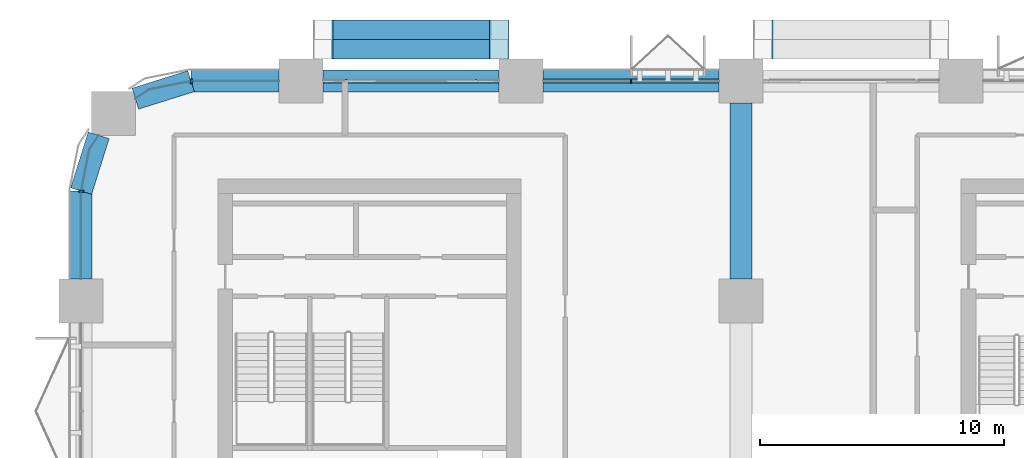
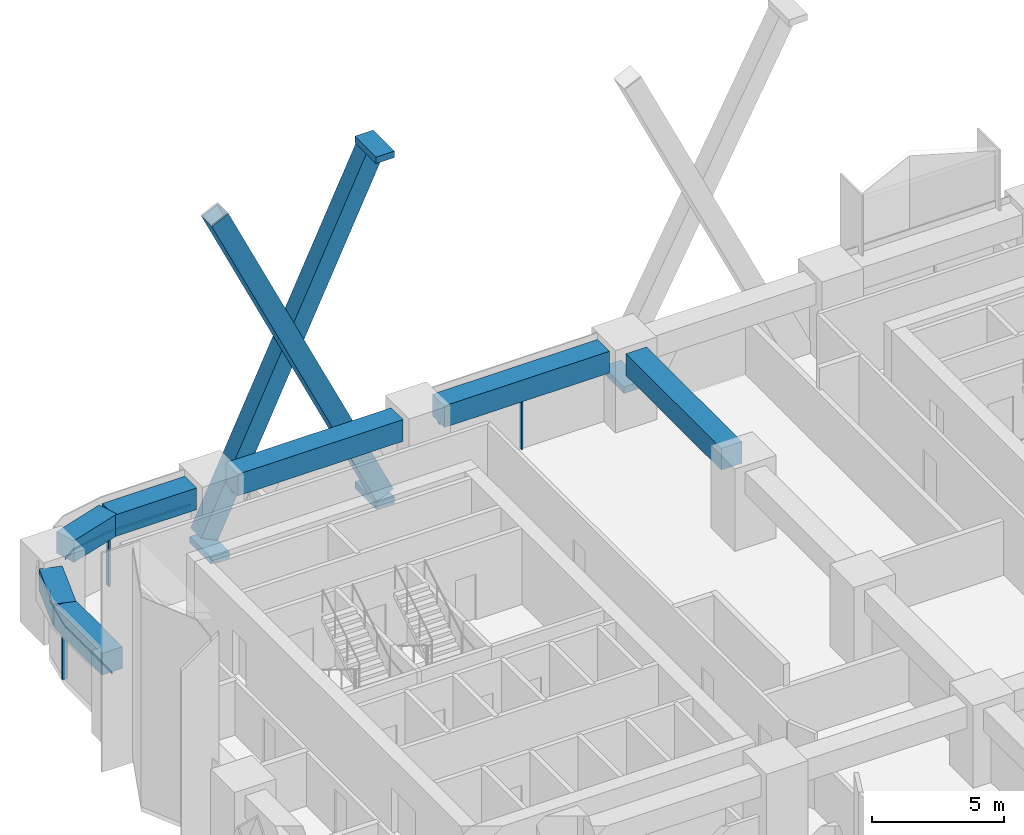
# One storey, part 8 of 26: 13 members, 7 beams, 4 elements without a shape of their own.
"""IFC4 building model written with IfcOpenShell, lengths in metres."""

from ifc_helpers import new_model, si_unit, direction, frame, origin, origin_2d, place, context, subcontext, project, spatial, polyline, rectangle, hollow_rectangle, outline, extrude, material, layer, layer_set, material_profile, profile_set, type_object, element, aggregate, save


model = new_model("IFC4")

# Units and contexts
model_context = context("Model", 3, precision=1e-05, world=origin(), true_north=direction((0.0, 1.0)))
body_context = subcontext(model_context, "Body", "Model", "MODEL_VIEW")
ifc_project = project(units=[si_unit("LENGTHUNIT", "METRE"), si_unit("AREAUNIT", "SQUARE_METRE"), si_unit("VOLUMEUNIT", "CUBIC_METRE"), si_unit("PLANEANGLEUNIT", "RADIAN"), si_unit("MASSUNIT", "GRAM", prefix="KILO")], contexts=[model_context])

# Site, building, storey
site_placement = place(None, origin())
site = spatial("IfcSite", under=ifc_project, at=site_placement, CompositionType="ELEMENT")
building_placement = place(site_placement, origin())
building = spatial("IfcBuilding", under=site, at=building_placement, Name="Tessera Arch", CompositionType="ELEMENT")
storey_placement = place(building_placement, frame((0.0, 0.0, 31.0)))
storey = spatial("IfcBuildingStorey", under=building, at=storey_placement, Name="L05", CompositionType="ELEMENT", Elevation=31.0)

# Members
ifc_material_1 = material(Name="Steel A572 Gr50", Category="steel")
ifc_material_profile_1 = material_profile(ifc_material_1, hollow_rectangle(XDim=0.800048828125, YDim=0.800048828125, WallThickness=0.06005859375, at=origin_2d()), Name="BOX 800x800x60")
ifc_profile_set_1 = profile_set([ifc_material_profile_1], Name="Steel A572 Gr50")
member_type_1 = type_object("IfcMemberType", Name="Brace BOX 800x800x60 Steel A572 Gr50", PredefinedType="BRACE", material=ifc_profile_set_1)
for number, where, z_axis, x_axis, name in (
    (1, (17.10009765625, 55.300048828125, -0.800048828125), (-0.428096952335, 0.0, 0.903732814167), (0.0, -1.0, 0.0), "Brace N54.0-4 A L05-L08"),
    (2, (9.89990234375, 56.10009765625, -0.800048828125), (0.428096952335, 0.0, 0.903732814167), (0.0, 1.0, 0.0), "Brace N54.0-4 B L05-L08"),
):
    element("IfcMember", number, at=place(storey_placement, frame(where, z_axis=z_axis, x_axis=x_axis)), inside=storey, type_object=member_type_1, Name=name, PredefinedType="BRACE", context=body_context, shape_type="SweptSolid", body=[
        extrude(hollow_rectangle(XDim=0.800048828125, YDim=0.800048828125, WallThickness=0.06005859375, at=origin_2d()), origin(), (0.0, 0.0, 1.0), 16.819091796875),
    ])

# Curtain wall, members
ifc_material_2 = material(Name="CW1 curtain wall")
curtain_wall_type_1 = type_object("IfcCurtainWallType", Name="CW1 curtain wall", PredefinedType="NOTDEFINED", material=ifc_material_2)
curtain_wall_1_placement = place(storey_placement, origin())
curtain_wall_1 = element("IfcCurtainWall", 3, at=curtain_wall_1_placement, inside=storey, type_object=curtain_wall_type_1, Name="CW1 curtain wall N54.0/3 L05", PredefinedType="NOTDEFINED")
ifc_material_3 = material(Name="Anodised aluminium pale metal", Category="aluminium")
ifc_material_profile_2 = material_profile(ifc_material_3, rectangle(XDim=0.159912109375, YDim=0.06005859375, at=origin_2d()), Name="AL 60x160")
ifc_profile_set_2 = profile_set([ifc_material_profile_2], Name="Anodised aluminium pale metal")
member_type_2 = type_object("IfcMemberType", Name="CW1 mullion", PredefinedType="MULLION", material=ifc_profile_set_2)
member_1_placement = place(storey_placement, frame((22.5, 54.0, 0.0), z_axis=(0.0, 0.0, 1.0), x_axis=(0.0, -1.0, 0.0)))
member_1 = element("IfcMember", 4, at=member_1_placement, type_object=member_type_2, Name="CW1 mullion N54.0/3 1", PredefinedType="MULLION", context=body_context, shape_type="SweptSolid", body=[
    extrude(rectangle(XDim=0.159912109375, YDim=0.06005859375, at=origin_2d()), origin(), (0.0, 0.0, 1.0), 2.39990234375),
])
ifc_material_4 = material(Name="Anodised aluminium pale metal", Category="aluminium")
ifc_material_profile_3 = material_profile(ifc_material_4, rectangle(XDim=0.159912109375, YDim=0.10009765625, at=origin_2d()), Name="AL 160x100")
ifc_profile_set_3 = profile_set([ifc_material_profile_3], Name="Anodised aluminium pale metal")
member_type_3 = type_object("IfcMemberType", Name="CW1 transom", PredefinedType="USERDEFINED", material=ifc_profile_set_3)
member_2_placement = place(storey_placement, frame((26.10009765625, 54.0, 2.449951171875), z_axis=(-1.0, 0.0, 0.0), x_axis=(0.0, -1.0, 0.0)))
member_2 = element("IfcMember", 5, at=member_2_placement, type_object=member_type_3, Name="CW1 transom N54.0/3 1.1", ObjectType="TRANSOM", PredefinedType="USERDEFINED", context=body_context, shape_type="SweptSolid", body=[
    extrude(rectangle(XDim=0.159912109375, YDim=0.10009765625, at=origin_2d()), origin(), (0.0, 0.0, 1.0), 7.2001953125),
])
aggregate(curtain_wall_1, [member_1, member_2])

# Curtain wall, member
ifc_material_5 = material(Name="CW2 curtain wall")
curtain_wall_type_2 = type_object("IfcCurtainWallType", Name="CW2 curtain wall", PredefinedType="NOTDEFINED", material=ifc_material_5)
curtain_wall_2_placement = place(storey_placement, origin())
curtain_wall_2 = element("IfcCurtainWall", 6, at=curtain_wall_2_placement, inside=storey, type_object=curtain_wall_type_2, Name="CW2 curtain wall N54.0/5 L05", PredefinedType="NOTDEFINED")
ifc_material_6 = material(Name="Anodised aluminium pale metal", Category="aluminium")
ifc_material_profile_4 = material_profile(ifc_material_6, rectangle(XDim=0.199951171875, YDim=0.080078125, at=origin_2d()), Name="AL 80x200")
ifc_profile_set_4 = profile_set([ifc_material_profile_4], Name="Anodised aluminium pale metal")
member_type_4 = type_object("IfcMemberType", Name="CW2 mullion", PredefinedType="MULLION", material=ifc_profile_set_4)
member_3_placement = place(storey_placement, frame((4.5, 54.0, 0.0), z_axis=(0.0, 0.0, 1.0), x_axis=(0.0, -1.0, 0.0)))
member_3 = element("IfcMember", 7, at=member_3_placement, type_object=member_type_4, Name="CW2 mullion N54.0/5 1", PredefinedType="MULLION", context=body_context, shape_type="SweptSolid", body=[
    extrude(rectangle(XDim=0.199951171875, YDim=0.080078125, at=origin_2d()), origin(), (0.0, 0.0, 1.0), 2.39990234375),
])

curtain_wall_3_placement = place(storey_placement, origin())
curtain_wall_3 = element("IfcCurtainWall", 8, at=curtain_wall_3_placement, inside=storey, type_object=curtain_wall_type_2, Name="CW2 curtain wall W0.0/0 L05", PredefinedType="NOTDEFINED")
member_4_placement = place(storey_placement, frame((0.0, 49.5, 0.0), z_axis=(0.0, 0.0, 1.0), x_axis=(1.0, 0.0, 0.0)))
member_4 = element("IfcMember", 9, at=member_4_placement, type_object=member_type_4, Name="CW2 mullion W0.0/0 1", PredefinedType="MULLION", context=body_context, shape_type="SweptSolid", body=[
    extrude(rectangle(XDim=0.199951171875, YDim=0.080078125, at=origin_2d()), origin(), (0.0, 0.0, 1.0), 2.39990234375),
])

# Member
ifc_material_7 = material(Name="Anodised aluminium pale metal", Category="aluminium")
ifc_material_profile_5 = material_profile(ifc_material_7, rectangle(XDim=0.199951171875, YDim=0.10009765625, at=origin_2d()), Name="AL 200x100")
ifc_profile_set_5 = profile_set([ifc_material_profile_5], Name="Anodised aluminium pale metal")
member_type_5 = type_object("IfcMemberType", Name="CW2 transom", PredefinedType="USERDEFINED", material=ifc_profile_set_5)
member_5_placement = place(storey_placement, frame((0.0, 0.0, 2.39990234375)))
member_5 = element("IfcMember", 10, at=member_5_placement, type_object=member_type_5, Name="CW2 transom N54.0/5 1", ObjectType="TRANSOM", PredefinedType="USERDEFINED", context=body_context, shape_type="SweptSolid", body=[
    extrude(outline(polyline([(4.5009765625, 53.989990234375), (8.10009765625, 53.989990234375), (8.10009765625, 54.010009765625), (4.4990234375, 54.010009765625), (2.77392578125, 53.6669921875), (2.21240234375, 53.29150390625), (2.2236328125, 53.27490234375), (2.78173828125, 53.648193359375), (4.5009765625, 53.989990234375)])), origin(), (0.0, 0.0, 1.0), 0.10009765625),
])

aggregate(curtain_wall_2, [member_3, member_5])

member_6_placement = place(storey_placement, frame((0.0, 0.0, 2.39990234375)))
member_6 = element("IfcMember", 11, at=member_6_placement, type_object=member_type_5, Name="CW2 transom W0.0/0 1", ObjectType="TRANSOM", PredefinedType="USERDEFINED", context=body_context, shape_type="SweptSolid", body=[
    extrude(outline(polyline([(0.351806640625, 51.21826171875), (0.72509765625, 51.7763671875), (0.70849609375, 51.78759765625), (0.3330078125, 51.22607421875), (-0.010009765625, 49.5009765625), (-0.010009765625, 45.89990234375), (0.010009765625, 45.89990234375), (0.010009765625, 49.4990234375), (0.351806640625, 51.21826171875)])), origin(), (0.0, 0.0, 1.0), 0.10009765625),
])

aggregate(curtain_wall_3, [member_4, member_6])

# Curtain wall, member
ifc_material_8 = material(Name="CW3 curtain wall")
curtain_wall_type_3 = type_object("IfcCurtainWallType", Name="CW3 curtain wall", PredefinedType="NOTDEFINED", material=ifc_material_8)
curtain_wall_4_placement = place(storey_placement, origin())
curtain_wall_4 = element("IfcCurtainWall", 12, at=curtain_wall_4_placement, inside=storey, type_object=curtain_wall_type_3, Name="CW3 curtain wall N54.0/4 L05", PredefinedType="NOTDEFINED")
ifc_material_9 = material(Name="Anodised aluminium pale metal", Category="aluminium")
ifc_material_profile_6 = material_profile(ifc_material_9, rectangle(XDim=0.139892578125, YDim=0.10009765625, at=origin_2d()), Name="AL 140x100")
ifc_profile_set_6 = profile_set([ifc_material_profile_6], Name="Anodised aluminium pale metal")
member_type_6 = type_object("IfcMemberType", Name="CW3 transom", PredefinedType="USERDEFINED", material=ifc_profile_set_6)
member_7_placement = place(storey_placement, frame((17.10009765625, 54.0, 2.449951171875), z_axis=(-1.0, 0.0, 0.0), x_axis=(0.0, -1.0, 0.0)))
member_7 = element("IfcMember", 13, at=member_7_placement, type_object=member_type_6, Name="CW3 transom N54.0/4 1.1", ObjectType="TRANSOM", PredefinedType="USERDEFINED", context=body_context, shape_type="SweptSolid", body=[
    extrude(rectangle(XDim=0.139892578125, YDim=0.10009765625, at=origin_2d()), origin(), (0.0, 0.0, 1.0), 7.2001953125),
])
aggregate(curtain_wall_4, [member_7])

# Members
ifc_material_10 = material(Name="Steel A572 Gr50", Category="steel")
ifc_layer = layer(ifc_material_10, 0.050048828125)
ifc_layer_set = layer_set([ifc_layer], Name="Node block Steel A572 Gr50")
member_type_7 = type_object("IfcMemberType", Name="Node block Steel A572 Gr50", PredefinedType="PLATE", material=ifc_layer_set)
for number, where, z_axis, x_axis, name in (
    (14, (27.89990234375, 55.699951171875, 0.23876953125), (0.0, 0.0, 1.0), (-1.0, 0.0, 0.0), "Node block seat N54.0-2 1 L05"),
    (15, (9.89990234375, 55.699951171875, -1.31640625), (0.0, 0.0, 1.0), (-1.0, 0.0, 0.0), "Node block seat N54.0-4 1 L05"),
    (16, (17.10009765625, 55.699951171875, -1.31640625), (0.0, 0.0, 1.0), (-1.0, 0.0, 0.0), "Node block seat N54.0-4 2 L05"),
    (17, (17.10009765625, 55.699951171875, 14.6162109375), (0.0, 0.0, 1.0), (-1.0, 0.0, 0.0), "Node block head N54.0-4 B L05"),
):
    element("IfcMember", number, at=place(storey_placement, frame(where, z_axis=z_axis, x_axis=x_axis)), inside=storey, type_object=member_type_7, Name=name, PredefinedType="PLATE", context=body_context, shape_type="SweptSolid", body=[
        extrude(rectangle(XDim=0.800048828125, YDim=1.60009765625, at=origin_2d()), origin(), (0.0, 0.0, 1.0), 0.300048828125),
    ])

# Beams
ifc_material_11 = material(Name="Concrete C80/95", Category="concrete")
ifc_material_profile_7 = material_profile(ifc_material_11, rectangle(XDim=0.89990234375, YDim=1.0, at=origin_2d()), Name="RC spandrel beam 900 x 1000 Concrete C80/95")
ifc_profile_set_7 = profile_set([ifc_material_profile_7], Name="Concrete C80/95")
beam_type = type_object("IfcBeamType", Name="RC spandrel beam 900 x 1000 Concrete C80/95", PredefinedType="BEAM", material=ifc_profile_set_7)
for number, where, z_axis, x_axis, name in (
    (18, (26.10009765625, 54.0, 3.0), (-1.0, 0.0, 0.0), (0.0, -1.0, 0.0), "Spandrel beam L05 N54.0/3"),
    (19, (17.10009765625, 54.0, 3.0), (-1.0, 0.0, 0.0), (0.0, -1.0, 0.0), "Spandrel beam L05 N54.0/4"),
):
    element("IfcBeam", number, at=place(storey_placement, frame(where, z_axis=z_axis, x_axis=x_axis)), inside=storey, type_object=beam_type, Name=name, PredefinedType="BEAM", context=body_context, shape_type="SweptSolid", body=[
        extrude(rectangle(XDim=0.89990234375, YDim=1.0, at=origin_2d()), origin(), (0.0, 0.0, 1.0), 7.2001953125),
    ])
beam_1_placement = place(storey_placement, frame((8.10009765625, 54.0, 3.0), z_axis=(-1.0, 0.0, 0.0), x_axis=(0.0, -1.0, 0.0)))
element("IfcBeam", 20, at=beam_1_placement, inside=storey, type_object=beam_type, Name="Spandrel beam L05 N54.0/5.1", PredefinedType="BEAM", context=body_context, shape_type="SweptSolid", body=[
    extrude(rectangle(XDim=0.89990234375, YDim=1.0, at=origin_2d()), origin(), (0.0, 0.0, 1.0), 3.60009765625),
])
for number, where, z_axis, x_axis, name in (
    (21, (4.5, 54.0, 3.0), (-0.954041251279, -0.299675309057, 0.0), (0.299675309057, -0.954041251279, 0.0), "Spandrel beam L05 N54.0/5.2"),
    (22, (0.716796875, 51.781982421875, 3.0), (-0.299675309057, -0.954041251279, 0.0), (0.954041251279, -0.299675309057, 0.0), "Spandrel beam L05 W0.0/0.1"),
):
    element("IfcBeam", number, at=place(storey_placement, frame(where, z_axis=z_axis, x_axis=x_axis)), inside=storey, type_object=beam_type, Name=name, PredefinedType="BEAM", context=body_context, shape_type="SweptSolid", body=[
        extrude(rectangle(XDim=0.89990234375, YDim=1.0, at=origin_2d()), origin(), (0.0, 0.0, 1.0), 2.391845703125),
    ])
beam_2_placement = place(storey_placement, frame((0.0, 49.5, 3.0), z_axis=(0.0, -1.0, 0.0), x_axis=(1.0, 0.0, 0.0)))
element("IfcBeam", 23, at=beam_2_placement, inside=storey, type_object=beam_type, Name="Spandrel beam L05 W0.0/0.2", PredefinedType="BEAM", context=body_context, shape_type="SweptSolid", body=[
    extrude(rectangle(XDim=0.89990234375, YDim=1.0, at=origin_2d()), origin(), (0.0, 0.0, 1.0), 3.60009765625),
])
beam_3_placement = place(storey_placement, frame((27.0, 45.89990234375, 3.0), z_axis=(0.0, 1.0, 0.0), x_axis=(-1.0, 0.0, 0.0)))
element("IfcBeam", 24, at=beam_3_placement, inside=storey, type_object=beam_type, Name="Interface beam L05 I0C4F-C4G", PredefinedType="BEAM", context=body_context, shape_type="SweptSolid", body=[
    extrude(rectangle(XDim=0.89990234375, YDim=1.0, at=origin_2d()), origin(), (0.0, 0.0, 1.0), 7.2001953125),
])

save(model, "model.ifc")
